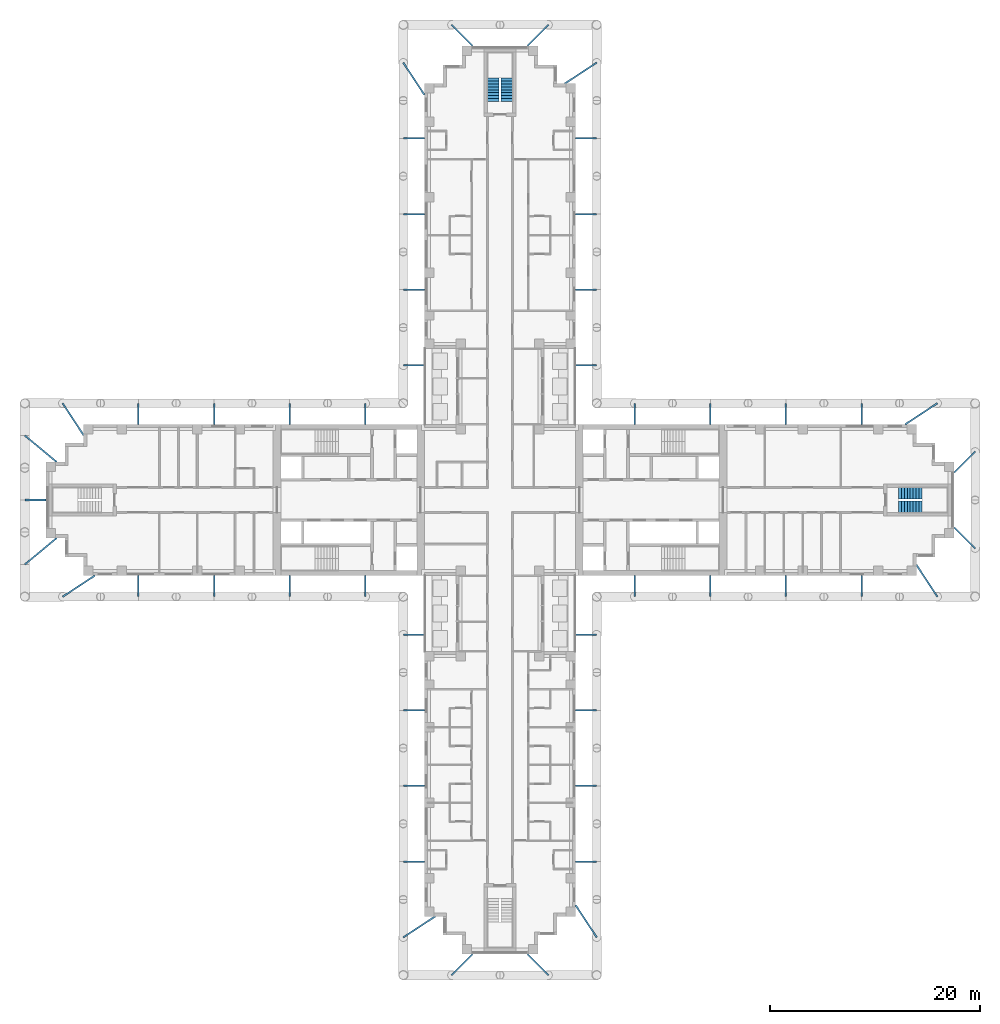
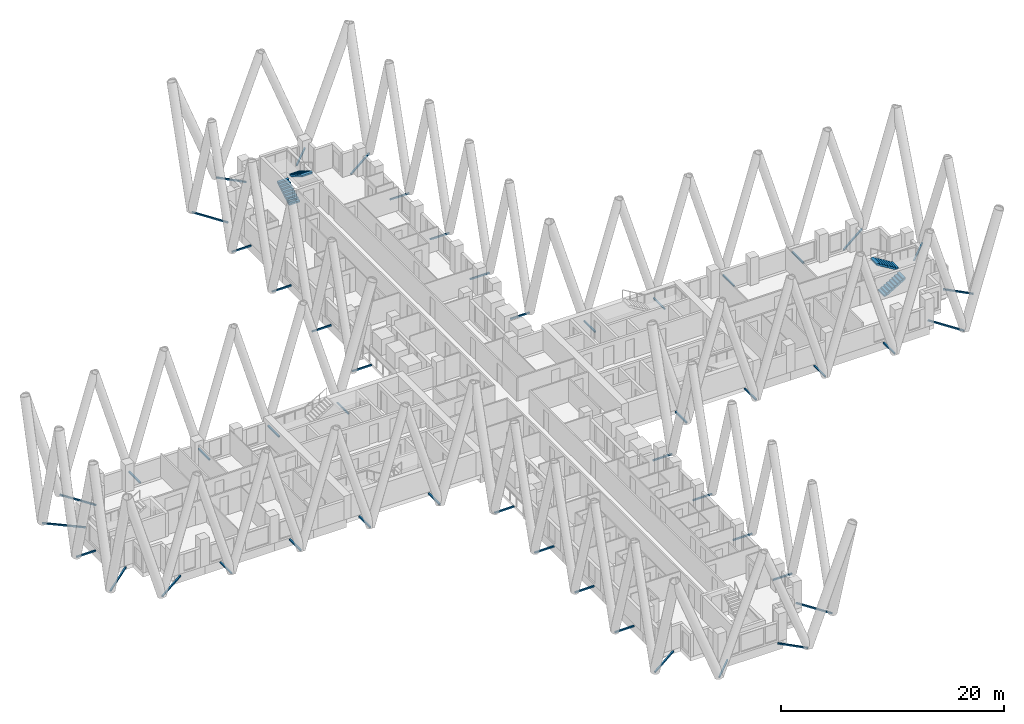
# One storey, part 14 of 16: 49 discrete accessories, 4 stair flights, 2 elements without a shape of their own.
"""IFC4 building model written with IfcOpenShell, lengths in metres."""

from ifc_helpers import new_model, si_unit, direction, frame, origin, origin_2d, place, context, subcontext, project, spatial, polyline, hollow_rectangle, outline, extrude, material, type_object, element, aggregate, save


model = new_model("IFC4")

# Units and contexts
model_context = context("Model", 3, precision=1e-05, world=origin(), true_north=direction((0.0, 1.0)))
body_context = subcontext(model_context, "Body", "Model", "MODEL_VIEW")
ifc_project = project(units=[si_unit("LENGTHUNIT", "METRE"), si_unit("AREAUNIT", "SQUARE_METRE"), si_unit("VOLUMEUNIT", "CUBIC_METRE"), si_unit("PLANEANGLEUNIT", "RADIAN"), si_unit("MASSUNIT", "GRAM", prefix="KILO")], contexts=[model_context])

# Site, building, storey
site_placement = place(None, origin())
site = spatial("IfcSite", under=ifc_project, at=site_placement, CompositionType="ELEMENT")
building_placement = place(site_placement, origin())
building = spatial("IfcBuilding", under=site, at=building_placement, Name="Fustian Cross Tower", CompositionType="ELEMENT")
storey_placement = place(building_placement, frame((0.0, 0.0, 20.699951171875)))
storey = spatial("IfcBuildingStorey", under=building, at=storey_placement, Name="L05", CompositionType="ELEMENT", Elevation=20.699951171875)

# Stair, stair flights
ifc_material_1 = material(Name="Concrete C50/60", Category="concrete")
stair_type = type_object("IfcStairType", Name="STAIR 1100 HALF TURN", PredefinedType="HALF_TURN_STAIR", material=ifc_material_1)
stair_1_placement = place(storey_placement, origin())
stair_1 = element("IfcStair", 1, at=stair_1_placement, inside=storey, type_object=stair_type, Name="Stair ST5", PredefinedType="HALF_TURN_STAIR")
ifc_material_2 = material(Name="Concrete C50/60", Category="concrete")
stair_flight_type = type_object("IfcStairFlightType", Name="STAIR FLIGHT 1100", PredefinedType="STRAIGHT", material=ifc_material_2)
stair_flight_1_placement = place(storey_placement, frame((-0.64990234375, 37.89990234375, 0.0), z_axis=(0.0, 0.0, 1.0), x_axis=(0.0, 1.0, 0.0)))
stair_flight_1 = element("IfcStairFlight", 2, at=stair_flight_1_placement, type_object=stair_flight_type, Name="ST5 flight 1", NumberOfRisers=9, NumberOfTreads=8, PredefinedType="STRAIGHT", RiserHeight=0.166666667, TreadLength=0.28, context=body_context, shape_type="SweptSolid", body=[
    extrude(outline(polyline([(0.0, 0.0), (0.0, 0.166748046875), (0.280029296875, 0.166748046875), (0.280029296875, 0.333251953125), (0.56005859375, 0.333251953125), (0.56005859375, 0.5), (0.840087890625, 0.5), (0.840087890625, 0.666748046875), (1.1201171875, 0.666748046875), (1.1201171875, 0.833251953125), (1.39990234375, 0.833251953125), (1.39990234375, 1.0), (1.679931640625, 1.0), (1.679931640625, 1.166748046875), (1.9599609375, 1.166748046875), (1.9599609375, 1.333251953125), (2.239990234375, 1.333251953125), (2.239990234375, 1.5), (2.239990234375, 1.158935546875), (0.29296875, 0.0), (0.0, 0.0)])), frame((0.0, 0.550048828125, 0.0), z_axis=(0.0, -1.0, 0.0), x_axis=(1.0, 0.0, 0.0)), (0.0, 0.0, 1.0), 1.10009765625),
])
stair_flight_2_placement = place(storey_placement, frame((0.64990234375, 40.139892578125, 1.5), z_axis=(0.0, 0.0, 1.0), x_axis=(0.0, -1.0, 0.0)))
stair_flight_2 = element("IfcStairFlight", 3, at=stair_flight_2_placement, type_object=stair_flight_type, Name="ST5 flight 2", NumberOfRisers=9, NumberOfTreads=8, PredefinedType="STRAIGHT", RiserHeight=0.166666667, TreadLength=0.28, context=body_context, shape_type="SweptSolid", body=[
    extrude(outline(polyline([(0.0, 0.0), (0.0, 0.166748046875), (0.280029296875, 0.166748046875), (0.280029296875, 0.333251953125), (0.56005859375, 0.333251953125), (0.56005859375, 0.5), (0.840087890625, 0.5), (0.840087890625, 0.666748046875), (1.1201171875, 0.666748046875), (1.1201171875, 0.833251953125), (1.39990234375, 0.833251953125), (1.39990234375, 1.0), (1.679931640625, 1.0), (1.679931640625, 1.166748046875), (1.9599609375, 1.166748046875), (1.9599609375, 1.333251953125), (2.239990234375, 1.333251953125), (2.239990234375, 1.5), (2.239990234375, 1.158935546875), (0.29296875, 0.0), (0.0, 0.0)])), frame((0.0, 0.550048828125, 0.0), z_axis=(0.0, -1.0, 0.0), x_axis=(1.0, 0.0, 0.0)), (0.0, 0.0, 1.0), 1.10009765625),
])
aggregate(stair_1, [stair_flight_1, stair_flight_2])

stair_2_placement = place(storey_placement, origin())
stair_2 = element("IfcStair", 4, at=stair_2_placement, inside=storey, type_object=stair_type, Name="Stair ST8", PredefinedType="HALF_TURN_STAIR")
stair_flight_3_placement = place(storey_placement, frame((37.89990234375, -0.64990234375, 0.0), z_axis=(0.0, 0.0, 1.0), x_axis=(1.0, 0.0, 0.0)))
stair_flight_3 = element("IfcStairFlight", 5, at=stair_flight_3_placement, type_object=stair_flight_type, Name="ST8 flight 1", NumberOfRisers=9, NumberOfTreads=8, PredefinedType="STRAIGHT", RiserHeight=0.166666667, TreadLength=0.28, context=body_context, shape_type="SweptSolid", body=[
    extrude(outline(polyline([(0.0, 0.0), (0.0, 0.166748046875), (0.280029296875, 0.166748046875), (0.280029296875, 0.333251953125), (0.56005859375, 0.333251953125), (0.56005859375, 0.5), (0.840087890625, 0.5), (0.840087890625, 0.666748046875), (1.1201171875, 0.666748046875), (1.1201171875, 0.833251953125), (1.39990234375, 0.833251953125), (1.39990234375, 1.0), (1.679931640625, 1.0), (1.679931640625, 1.166748046875), (1.9599609375, 1.166748046875), (1.9599609375, 1.333251953125), (2.239990234375, 1.333251953125), (2.239990234375, 1.5), (2.239990234375, 1.158935546875), (0.29296875, 0.0), (0.0, 0.0)])), frame((0.0, 0.550048828125, 0.0), z_axis=(0.0, -1.0, 0.0), x_axis=(1.0, 0.0, 0.0)), (0.0, 0.0, 1.0), 1.10009765625),
])
stair_flight_4_placement = place(storey_placement, frame((40.139892578125, 0.64990234375, 1.5), z_axis=(0.0, 0.0, 1.0), x_axis=(-1.0, 0.0, 0.0)))
stair_flight_4 = element("IfcStairFlight", 6, at=stair_flight_4_placement, type_object=stair_flight_type, Name="ST8 flight 2", NumberOfRisers=9, NumberOfTreads=8, PredefinedType="STRAIGHT", RiserHeight=0.166666667, TreadLength=0.28, context=body_context, shape_type="SweptSolid", body=[
    extrude(outline(polyline([(0.0, 0.0), (0.0, 0.166748046875), (0.280029296875, 0.166748046875), (0.280029296875, 0.333251953125), (0.56005859375, 0.333251953125), (0.56005859375, 0.5), (0.840087890625, 0.5), (0.840087890625, 0.666748046875), (1.1201171875, 0.666748046875), (1.1201171875, 0.833251953125), (1.39990234375, 0.833251953125), (1.39990234375, 1.0), (1.679931640625, 1.0), (1.679931640625, 1.166748046875), (1.9599609375, 1.166748046875), (1.9599609375, 1.333251953125), (2.239990234375, 1.333251953125), (2.239990234375, 1.5), (2.239990234375, 1.158935546875), (0.29296875, 0.0), (0.0, 0.0)])), frame((0.0, 0.550048828125, 0.0), z_axis=(0.0, -1.0, 0.0), x_axis=(1.0, 0.0, 0.0)), (0.0, 0.0, 1.0), 1.10009765625),
])
aggregate(stair_2, [stair_flight_3, stair_flight_4])

# Discrete accessories
ifc_material_3 = material(Name="Steel S355", Category="steel")
discrete_accessory_1_placement = place(storey_placement, frame((45.199951171875, 4.60009765625, -0.14990234375), z_axis=(-0.707106781187, -0.707106781187, 0.0), x_axis=(0.707106781187, -0.707106781187, 0.0)))
element("IfcDiscreteAccessory", 7, at=discrete_accessory_1_placement, inside=storey, material=ifc_material_3, Name="Diagrid node bracket L05-01", PredefinedType="BRACKET", context=body_context, shape_type="SweptSolid", body=[
    extrude(hollow_rectangle(XDim=0.14990234375, YDim=0.14990234375, WallThickness=0.010009765625, at=origin_2d()), origin(), (0.0, 0.0, 1.0), 2.828369140625),
])
discrete_accessory_2_placement = place(storey_placement, frame((41.60009765625, 9.199951171875, -0.14990234375), z_axis=(-0.836248392914, -0.548350823241, 0.0), x_axis=(0.548350823241, -0.836248392914, 0.0)))
element("IfcDiscreteAccessory", 8, at=discrete_accessory_2_placement, inside=storey, material=ifc_material_3, Name="Diagrid node bracket L05-02", PredefinedType="BRACKET", context=body_context, shape_type="SweptSolid", body=[
    extrude(hollow_rectangle(XDim=0.14990234375, YDim=0.14990234375, WallThickness=0.010009765625, at=origin_2d()), origin(), (0.0, 0.0, 1.0), 3.647216796875),
])
for number, where, z_axis, x_axis, name in (
    (9, (34.39990234375, 9.199951171875, -0.14990234375), (0.0, -1.0, 0.0), (1.0, 0.0, 0.0), "Diagrid node bracket L05-03"),
    (10, (27.199951171875, 9.199951171875, -0.14990234375), (0.0, -1.0, 0.0), (1.0, 0.0, 0.0), "Diagrid node bracket L05-04"),
    (11, (20.0, 9.199951171875, -0.14990234375), (0.0, -1.0, 0.0), (1.0, 0.0, 0.0), "Diagrid node bracket L05-05"),
    (12, (12.800048828125, 9.199951171875, -0.14990234375), (0.0, -1.0, 0.0), (1.0, 0.0, 0.0), "Diagrid node bracket L05-06"),
    (13, (9.199951171875, 12.800048828125, -0.14990234375), (-1.0, 0.0, 0.0), (0.0, -1.0, 0.0), "Diagrid node bracket L05-07"),
    (14, (9.199951171875, 20.0, -0.14990234375), (-1.0, 0.0, 0.0), (0.0, -1.0, 0.0), "Diagrid node bracket L05-08"),
    (15, (9.199951171875, 27.199951171875, -0.14990234375), (-1.0, 0.0, 0.0), (0.0, -1.0, 0.0), "Diagrid node bracket L05-09"),
    (16, (9.199951171875, 34.39990234375, -0.14990234375), (-1.0, 0.0, 0.0), (0.0, -1.0, 0.0), "Diagrid node bracket L05-10"),
):
    element("IfcDiscreteAccessory", number, at=place(storey_placement, frame(where, z_axis=z_axis, x_axis=x_axis)), inside=storey, material=ifc_material_3, Name=name, PredefinedType="BRACKET", context=body_context, shape_type="SweptSolid", body=[
        extrude(hollow_rectangle(XDim=0.14990234375, YDim=0.14990234375, WallThickness=0.010009765625, at=origin_2d()), origin(), (0.0, 0.0, 1.0), 2.0),
    ])
discrete_accessory_3_placement = place(storey_placement, frame((9.199951171875, 41.60009765625, -0.14990234375), z_axis=(-0.836248392914, -0.548350823241, 0.0), x_axis=(0.548350823241, -0.836248392914, 0.0)))
element("IfcDiscreteAccessory", 17, at=discrete_accessory_3_placement, inside=storey, material=ifc_material_3, Name="Diagrid node bracket L05-11", PredefinedType="BRACKET", context=body_context, shape_type="SweptSolid", body=[
    extrude(hollow_rectangle(XDim=0.14990234375, YDim=0.14990234375, WallThickness=0.010009765625, at=origin_2d()), origin(), (0.0, 0.0, 1.0), 3.647216796875),
])
for number, where, z_axis, x_axis, name in (
    (18, (4.60009765625, 45.199951171875, -0.14990234375), (-0.707106781187, -0.707106781187, 0.0), (0.707106781187, -0.707106781187, 0.0), "Diagrid node bracket L05-12"),
    (19, (-4.60009765625, 45.199951171875, -0.14990234375), (0.707106781187, -0.707106781187, 0.0), (0.707106781187, 0.707106781187, 0.0), "Diagrid node bracket L05-13"),
):
    element("IfcDiscreteAccessory", number, at=place(storey_placement, frame(where, z_axis=z_axis, x_axis=x_axis)), inside=storey, material=ifc_material_3, Name=name, PredefinedType="BRACKET", context=body_context, shape_type="SweptSolid", body=[
        extrude(hollow_rectangle(XDim=0.14990234375, YDim=0.14990234375, WallThickness=0.010009765625, at=origin_2d()), origin(), (0.0, 0.0, 1.0), 2.828369140625),
    ])
discrete_accessory_4_placement = place(storey_placement, frame((-9.199951171875, 41.60009765625, -0.14990234375), z_axis=(0.548350823241, -0.836248392914, 0.0), x_axis=(0.836248392914, 0.548350823241, 0.0)))
element("IfcDiscreteAccessory", 20, at=discrete_accessory_4_placement, inside=storey, material=ifc_material_3, Name="Diagrid node bracket L05-14", PredefinedType="BRACKET", context=body_context, shape_type="SweptSolid", body=[
    extrude(hollow_rectangle(XDim=0.14990234375, YDim=0.14990234375, WallThickness=0.010009765625, at=origin_2d()), origin(), (0.0, 0.0, 1.0), 3.647216796875),
])
for number, where, z_axis, x_axis, name in (
    (21, (-9.199951171875, 34.39990234375, -0.14990234375), (1.0, 0.0, 0.0), (0.0, 1.0, 0.0), "Diagrid node bracket L05-15"),
    (22, (-9.199951171875, 27.199951171875, -0.14990234375), (1.0, 0.0, 0.0), (0.0, 1.0, 0.0), "Diagrid node bracket L05-16"),
    (23, (-9.199951171875, 20.0, -0.14990234375), (1.0, 0.0, 0.0), (0.0, 1.0, 0.0), "Diagrid node bracket L05-17"),
    (24, (-9.199951171875, 12.800048828125, -0.14990234375), (1.0, 0.0, 0.0), (0.0, 1.0, 0.0), "Diagrid node bracket L05-18"),
    (25, (-12.800048828125, 9.199951171875, -0.14990234375), (0.0, -1.0, 0.0), (1.0, 0.0, 0.0), "Diagrid node bracket L05-19"),
    (26, (-20.0, 9.199951171875, -0.14990234375), (0.0, -1.0, 0.0), (1.0, 0.0, 0.0), "Diagrid node bracket L05-20"),
    (27, (-27.199951171875, 9.199951171875, -0.14990234375), (0.0, -1.0, 0.0), (1.0, 0.0, 0.0), "Diagrid node bracket L05-21"),
    (28, (-34.39990234375, 9.199951171875, -0.14990234375), (0.0, -1.0, 0.0), (1.0, 0.0, 0.0), "Diagrid node bracket L05-22"),
):
    element("IfcDiscreteAccessory", number, at=place(storey_placement, frame(where, z_axis=z_axis, x_axis=x_axis)), inside=storey, material=ifc_material_3, Name=name, PredefinedType="BRACKET", context=body_context, shape_type="SweptSolid", body=[
        extrude(hollow_rectangle(XDim=0.14990234375, YDim=0.14990234375, WallThickness=0.010009765625, at=origin_2d()), origin(), (0.0, 0.0, 1.0), 2.0),
    ])
discrete_accessory_5_placement = place(storey_placement, frame((-41.60009765625, 9.199951171875, -0.14990234375), z_axis=(0.548350823241, -0.836248392914, 0.0), x_axis=(0.836248392914, 0.548350823241, 0.0)))
element("IfcDiscreteAccessory", 29, at=discrete_accessory_5_placement, inside=storey, material=ifc_material_3, Name="Diagrid node bracket L05-23", PredefinedType="BRACKET", context=body_context, shape_type="SweptSolid", body=[
    extrude(hollow_rectangle(XDim=0.14990234375, YDim=0.14990234375, WallThickness=0.010009765625, at=origin_2d()), origin(), (0.0, 0.0, 1.0), 3.647216796875),
])
discrete_accessory_6_placement = place(storey_placement, frame((-45.199951171875, 6.13330078125, -0.14990234375), z_axis=(0.769275112648, -0.638917679408, 0.0), x_axis=(0.638917679408, 0.769275112648, 0.0)))
element("IfcDiscreteAccessory", 30, at=discrete_accessory_6_placement, inside=storey, material=ifc_material_3, Name="Diagrid node bracket L05-24", PredefinedType="BRACKET", context=body_context, shape_type="SweptSolid", body=[
    extrude(hollow_rectangle(XDim=0.14990234375, YDim=0.14990234375, WallThickness=0.010009765625, at=origin_2d()), origin(), (0.0, 0.0, 1.0), 3.96484375),
])
discrete_accessory_7_placement = place(storey_placement, frame((-45.199951171875, 0.0, -0.14990234375), z_axis=(1.0, 0.0, 0.0), x_axis=(0.0, 1.0, 0.0)))
element("IfcDiscreteAccessory", 31, at=discrete_accessory_7_placement, inside=storey, material=ifc_material_3, Name="Diagrid node bracket L05-25", PredefinedType="BRACKET", context=body_context, shape_type="SweptSolid", body=[
    extrude(hollow_rectangle(XDim=0.14990234375, YDim=0.14990234375, WallThickness=0.010009765625, at=origin_2d()), origin(), (0.0, 0.0, 1.0), 2.0),
])
discrete_accessory_8_placement = place(storey_placement, frame((-45.199951171875, -6.13330078125, -0.14990234375), z_axis=(0.769275112648, 0.638917679408, 0.0), x_axis=(-0.638917679408, 0.769275112648, 0.0)))
element("IfcDiscreteAccessory", 32, at=discrete_accessory_8_placement, inside=storey, material=ifc_material_3, Name="Diagrid node bracket L05-26", PredefinedType="BRACKET", context=body_context, shape_type="SweptSolid", body=[
    extrude(hollow_rectangle(XDim=0.14990234375, YDim=0.14990234375, WallThickness=0.010009765625, at=origin_2d()), origin(), (0.0, 0.0, 1.0), 3.96484375),
])
discrete_accessory_9_placement = place(storey_placement, frame((-41.60009765625, -9.199951171875, -0.14990234375), z_axis=(0.836248392914, 0.548350823241, 0.0), x_axis=(-0.548350823241, 0.836248392914, 0.0)))
element("IfcDiscreteAccessory", 33, at=discrete_accessory_9_placement, inside=storey, material=ifc_material_3, Name="Diagrid node bracket L05-27", PredefinedType="BRACKET", context=body_context, shape_type="SweptSolid", body=[
    extrude(hollow_rectangle(XDim=0.14990234375, YDim=0.14990234375, WallThickness=0.010009765625, at=origin_2d()), origin(), (0.0, 0.0, 1.0), 3.647216796875),
])
for number, where, z_axis, x_axis, name in (
    (34, (-34.39990234375, -9.199951171875, -0.14990234375), (0.0, 1.0, 0.0), (-1.0, 0.0, 0.0), "Diagrid node bracket L05-28"),
    (35, (-27.199951171875, -9.199951171875, -0.14990234375), (0.0, 1.0, 0.0), (-1.0, 0.0, 0.0), "Diagrid node bracket L05-29"),
    (36, (-20.0, -9.199951171875, -0.14990234375), (0.0, 1.0, 0.0), (-1.0, 0.0, 0.0), "Diagrid node bracket L05-30"),
    (37, (-12.800048828125, -9.199951171875, -0.14990234375), (0.0, 1.0, 0.0), (-1.0, 0.0, 0.0), "Diagrid node bracket L05-31"),
    (38, (-9.199951171875, -12.800048828125, -0.14990234375), (1.0, 0.0, 0.0), (0.0, 1.0, 0.0), "Diagrid node bracket L05-32"),
    (39, (-9.199951171875, -20.0, -0.14990234375), (1.0, 0.0, 0.0), (0.0, 1.0, 0.0), "Diagrid node bracket L05-33"),
    (40, (-9.199951171875, -27.199951171875, -0.14990234375), (1.0, 0.0, 0.0), (0.0, 1.0, 0.0), "Diagrid node bracket L05-34"),
    (41, (-9.199951171875, -34.39990234375, -0.14990234375), (1.0, 0.0, 0.0), (0.0, 1.0, 0.0), "Diagrid node bracket L05-35"),
):
    element("IfcDiscreteAccessory", number, at=place(storey_placement, frame(where, z_axis=z_axis, x_axis=x_axis)), inside=storey, material=ifc_material_3, Name=name, PredefinedType="BRACKET", context=body_context, shape_type="SweptSolid", body=[
        extrude(hollow_rectangle(XDim=0.14990234375, YDim=0.14990234375, WallThickness=0.010009765625, at=origin_2d()), origin(), (0.0, 0.0, 1.0), 2.0),
    ])
discrete_accessory_10_placement = place(storey_placement, frame((-9.199951171875, -41.60009765625, -0.14990234375), z_axis=(0.836248392914, 0.548350823241, 0.0), x_axis=(-0.548350823241, 0.836248392914, 0.0)))
element("IfcDiscreteAccessory", 42, at=discrete_accessory_10_placement, inside=storey, material=ifc_material_3, Name="Diagrid node bracket L05-36", PredefinedType="BRACKET", context=body_context, shape_type="SweptSolid", body=[
    extrude(hollow_rectangle(XDim=0.14990234375, YDim=0.14990234375, WallThickness=0.010009765625, at=origin_2d()), origin(), (0.0, 0.0, 1.0), 3.647216796875),
])
for number, where, z_axis, x_axis, name in (
    (43, (-4.60009765625, -45.199951171875, -0.14990234375), (0.707106781187, 0.707106781187, 0.0), (-0.707106781187, 0.707106781187, 0.0), "Diagrid node bracket L05-37"),
    (44, (4.60009765625, -45.199951171875, -0.14990234375), (-0.707106781187, 0.707106781187, 0.0), (-0.707106781187, -0.707106781187, 0.0), "Diagrid node bracket L05-38"),
):
    element("IfcDiscreteAccessory", number, at=place(storey_placement, frame(where, z_axis=z_axis, x_axis=x_axis)), inside=storey, material=ifc_material_3, Name=name, PredefinedType="BRACKET", context=body_context, shape_type="SweptSolid", body=[
        extrude(hollow_rectangle(XDim=0.14990234375, YDim=0.14990234375, WallThickness=0.010009765625, at=origin_2d()), origin(), (0.0, 0.0, 1.0), 2.828369140625),
    ])
discrete_accessory_11_placement = place(storey_placement, frame((9.199951171875, -41.60009765625, -0.14990234375), z_axis=(-0.548350823241, 0.836248392914, 0.0), x_axis=(-0.836248392914, -0.548350823241, 0.0)))
element("IfcDiscreteAccessory", 45, at=discrete_accessory_11_placement, inside=storey, material=ifc_material_3, Name="Diagrid node bracket L05-39", PredefinedType="BRACKET", context=body_context, shape_type="SweptSolid", body=[
    extrude(hollow_rectangle(XDim=0.14990234375, YDim=0.14990234375, WallThickness=0.010009765625, at=origin_2d()), origin(), (0.0, 0.0, 1.0), 3.647216796875),
])
for number, where, z_axis, x_axis, name in (
    (46, (9.199951171875, -34.39990234375, -0.14990234375), (-1.0, 0.0, 0.0), (0.0, -1.0, 0.0), "Diagrid node bracket L05-40"),
    (47, (9.199951171875, -27.199951171875, -0.14990234375), (-1.0, 0.0, 0.0), (0.0, -1.0, 0.0), "Diagrid node bracket L05-41"),
    (48, (9.199951171875, -20.0, -0.14990234375), (-1.0, 0.0, 0.0), (0.0, -1.0, 0.0), "Diagrid node bracket L05-42"),
    (49, (9.199951171875, -12.800048828125, -0.14990234375), (-1.0, 0.0, 0.0), (0.0, -1.0, 0.0), "Diagrid node bracket L05-43"),
    (50, (12.800048828125, -9.199951171875, -0.14990234375), (0.0, 1.0, 0.0), (-1.0, 0.0, 0.0), "Diagrid node bracket L05-44"),
    (51, (20.0, -9.199951171875, -0.14990234375), (0.0, 1.0, 0.0), (-1.0, 0.0, 0.0), "Diagrid node bracket L05-45"),
    (52, (27.199951171875, -9.199951171875, -0.14990234375), (0.0, 1.0, 0.0), (-1.0, 0.0, 0.0), "Diagrid node bracket L05-46"),
    (53, (34.39990234375, -9.199951171875, -0.14990234375), (0.0, 1.0, 0.0), (-1.0, 0.0, 0.0), "Diagrid node bracket L05-47"),
):
    element("IfcDiscreteAccessory", number, at=place(storey_placement, frame(where, z_axis=z_axis, x_axis=x_axis)), inside=storey, material=ifc_material_3, Name=name, PredefinedType="BRACKET", context=body_context, shape_type="SweptSolid", body=[
        extrude(hollow_rectangle(XDim=0.14990234375, YDim=0.14990234375, WallThickness=0.010009765625, at=origin_2d()), origin(), (0.0, 0.0, 1.0), 2.0),
    ])
discrete_accessory_12_placement = place(storey_placement, frame((41.60009765625, -9.199951171875, -0.14990234375), z_axis=(-0.548350823241, 0.836248392914, 0.0), x_axis=(-0.836248392914, -0.548350823241, 0.0)))
element("IfcDiscreteAccessory", 54, at=discrete_accessory_12_placement, inside=storey, material=ifc_material_3, Name="Diagrid node bracket L05-48", PredefinedType="BRACKET", context=body_context, shape_type="SweptSolid", body=[
    extrude(hollow_rectangle(XDim=0.14990234375, YDim=0.14990234375, WallThickness=0.010009765625, at=origin_2d()), origin(), (0.0, 0.0, 1.0), 3.647216796875),
])
discrete_accessory_13_placement = place(storey_placement, frame((45.199951171875, -4.60009765625, -0.14990234375), z_axis=(-0.707106781187, 0.707106781187, 0.0), x_axis=(-0.707106781187, -0.707106781187, 0.0)))
element("IfcDiscreteAccessory", 55, at=discrete_accessory_13_placement, inside=storey, material=ifc_material_3, Name="Diagrid node bracket L05-49", PredefinedType="BRACKET", context=body_context, shape_type="SweptSolid", body=[
    extrude(hollow_rectangle(XDim=0.14990234375, YDim=0.14990234375, WallThickness=0.010009765625, at=origin_2d()), origin(), (0.0, 0.0, 1.0), 2.828369140625),
])

save(model, "model.ifc")
